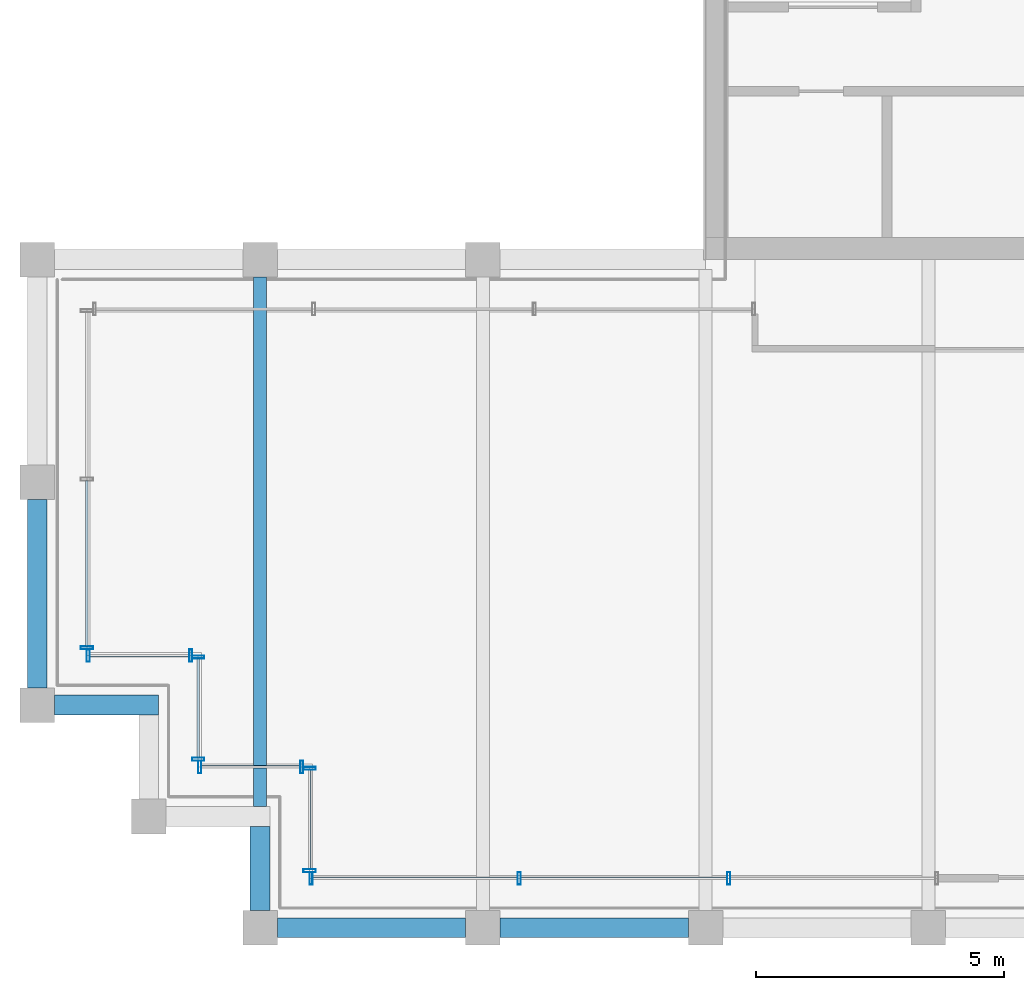
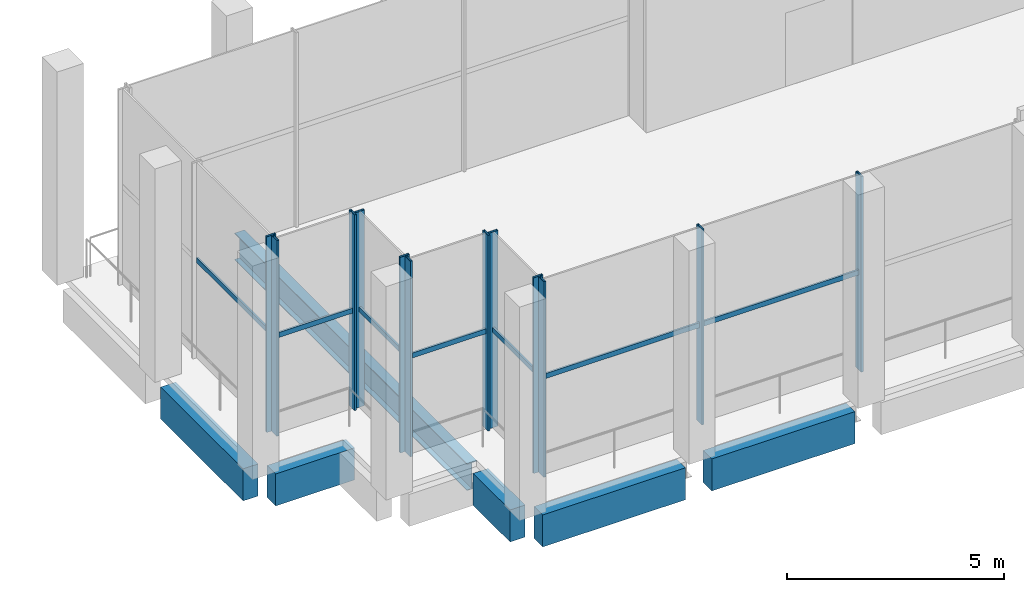
# One storey, part 2 of 15: 19 members, 6 beams, 6 elements without a shape of their own.
"""IFC4 building model written with IfcOpenShell, lengths in metres."""

from ifc_helpers import new_model, si_unit, direction, frame, origin, origin_2d, place, context, subcontext, project, spatial, rectangle, hollow_rectangle, i_section, extrude, material, material_profile, profile_set, type_object, element, aggregate, save


model = new_model("IFC4")

# Units and contexts
model_context = context("Model", 3, precision=1e-05, world=origin(), true_north=direction((0.0, 1.0)))
body_context = subcontext(model_context, "Body", "Model", "MODEL_VIEW")
ifc_project = project(units=[si_unit("LENGTHUNIT", "METRE"), si_unit("AREAUNIT", "SQUARE_METRE"), si_unit("VOLUMEUNIT", "CUBIC_METRE"), si_unit("PLANEANGLEUNIT", "RADIAN"), si_unit("MASSUNIT", "GRAM", prefix="KILO")], contexts=[model_context])

# Site, building, storey
site_placement = place(None, origin())
site = spatial("IfcSite", under=ifc_project, at=site_placement, CompositionType="ELEMENT")
building_placement = place(site_placement, origin())
building = spatial("IfcBuilding", under=site, at=building_placement, Name="Altepetl Exchange Towers", CompositionType="ELEMENT")
storey_placement = place(building_placement, frame((0.0, 0.0, 263.60009765625)))
storey = spatial("IfcBuildingStorey", under=building, at=storey_placement, Name="L67 Observation deck", CompositionType="ELEMENT", Elevation=263.60009765625)

# Beam
ifc_material_1 = material(Name="Steel S355", Category="steel")
ifc_material_profile_1 = material_profile(ifc_material_1, i_section(OverallWidth=0.26611328125, OverallDepth=0.758056640625, WebThickness=0.013916015625, FlangeThickness=0.019287109375, at=origin_2d()), Name="W30X108")
ifc_profile_set_1 = profile_set([ifc_material_profile_1], Name="Steel S355")
beam_type_1 = type_object("IfcBeamType", Name="Floor beam W30X108", PredefinedType="BEAM", material=ifc_profile_set_1)
beam_1_placement = place(storey_placement, frame((31.5, 29.449951171875, -0.55419921875), z_axis=(0.0, 1.0, 0.0), x_axis=(-1.0, 0.0, 0.0)))
element("IfcBeam", 1, at=beam_1_placement, inside=storey, type_object=beam_type_1, Name="bm:A:L67:006", PredefinedType="BEAM", context=body_context, shape_type="SweptSolid", body=[
    extrude(i_section(OverallWidth=0.26611328125, OverallDepth=0.758056640625, WebThickness=0.013916015625, FlangeThickness=0.019287109375, at=origin_2d()), origin(), (0.0, 0.0, 1.0), 10.699951171875),
])

# Curtain wall, member
ifc_material_2 = material(Name="Aluminium 6063-T6 glazing", Category="aluminium")
curtain_wall_type = type_object("IfcCurtainWallType", Name="Executive flush glazing system", PredefinedType="NOTDEFINED", material=ifc_material_2)
curtain_wall_1_placement = place(storey_placement, origin())
curtain_wall_1 = element("IfcCurtainWall", 2, at=curtain_wall_1_placement, inside=storey, type_object=curtain_wall_type, Name="CW4 run", PredefinedType="NOTDEFINED")
ifc_material_3 = material(Name="Aluminium 6063-T6", Category="aluminium")
ifc_material_profile_2 = material_profile(ifc_material_3, hollow_rectangle(XDim=0.06005859375, YDim=0.25, WallThickness=0.0029296875, at=origin_2d()), Name="Mullion 60x250 hollow aluminium")
ifc_profile_set_2 = profile_set([ifc_material_profile_2], Name="Aluminium 6063-T6")
member_type_1 = type_object("IfcMemberType", Name="Mullion 60x250 hollow aluminium", PredefinedType="MULLION", material=ifc_profile_set_2)
member_1_placement = place(storey_placement, frame((28.0, 32.655029296875, 0.0), z_axis=(0.0, 0.0, 1.0), x_axis=(0.0, -1.0, 0.0)))
member_1 = element("IfcMember", 3, at=member_1_placement, type_object=member_type_1, Name="MU3 mullion", PredefinedType="MULLION", context=body_context, shape_type="SweptSolid", body=[
    extrude(hollow_rectangle(XDim=0.06005859375, YDim=0.25, WallThickness=0.0029296875, at=origin_2d()), origin(), (0.0, 0.0, 1.0), 5.5),
])

# Curtain wall, members
curtain_wall_2_placement = place(storey_placement, origin())
curtain_wall_2 = element("IfcCurtainWall", 4, at=curtain_wall_2_placement, inside=storey, type_object=curtain_wall_type, Name="CW4 run", PredefinedType="NOTDEFINED")
member_2_placement = place(storey_placement, frame((28.030029296875, 32.5, 0.0)))
member_2 = element("IfcMember", 5, at=member_2_placement, type_object=member_type_1, Name="MU3 mullion", PredefinedType="MULLION", context=body_context, shape_type="SweptSolid", body=[
    extrude(hollow_rectangle(XDim=0.06005859375, YDim=0.25, WallThickness=0.0029296875, at=origin_2d()), origin(), (0.0, 0.0, 1.0), 5.5),
])
member_3_placement = place(storey_placement, frame((30.094970703125, 32.5, 0.0)))
member_3 = element("IfcMember", 6, at=member_3_placement, type_object=member_type_1, Name="MU3 mullion", PredefinedType="MULLION", context=body_context, shape_type="SweptSolid", body=[
    extrude(hollow_rectangle(XDim=0.06005859375, YDim=0.25, WallThickness=0.0029296875, at=origin_2d()), origin(), (0.0, 0.0, 1.0), 5.5),
])

curtain_wall_3_placement = place(storey_placement, origin())
curtain_wall_3 = element("IfcCurtainWall", 7, at=curtain_wall_3_placement, inside=storey, type_object=curtain_wall_type, Name="CW4 run", PredefinedType="NOTDEFINED")
member_4_placement = place(storey_placement, frame((30.25, 32.469970703125, 0.0), z_axis=(0.0, 0.0, 1.0), x_axis=(0.0, -1.0, 0.0)))
member_4 = element("IfcMember", 8, at=member_4_placement, type_object=member_type_1, Name="MU3 mullion", PredefinedType="MULLION", context=body_context, shape_type="SweptSolid", body=[
    extrude(hollow_rectangle(XDim=0.06005859375, YDim=0.25, WallThickness=0.0029296875, at=origin_2d()), origin(), (0.0, 0.0, 1.0), 5.5),
])
member_5_placement = place(storey_placement, frame((30.25, 30.405029296875, 0.0), z_axis=(0.0, 0.0, 1.0), x_axis=(0.0, -1.0, 0.0)))
member_5 = element("IfcMember", 9, at=member_5_placement, type_object=member_type_1, Name="MU3 mullion", PredefinedType="MULLION", context=body_context, shape_type="SweptSolid", body=[
    extrude(hollow_rectangle(XDim=0.06005859375, YDim=0.25, WallThickness=0.0029296875, at=origin_2d()), origin(), (0.0, 0.0, 1.0), 5.5),
])

curtain_wall_4_placement = place(storey_placement, origin())
curtain_wall_4 = element("IfcCurtainWall", 10, at=curtain_wall_4_placement, inside=storey, type_object=curtain_wall_type, Name="CW4 run", PredefinedType="NOTDEFINED")
member_6_placement = place(storey_placement, frame((30.280029296875, 30.25, 0.0)))
member_6 = element("IfcMember", 11, at=member_6_placement, type_object=member_type_1, Name="MU3 mullion", PredefinedType="MULLION", context=body_context, shape_type="SweptSolid", body=[
    extrude(hollow_rectangle(XDim=0.06005859375, YDim=0.25, WallThickness=0.0029296875, at=origin_2d()), origin(), (0.0, 0.0, 1.0), 5.5),
])
member_7_placement = place(storey_placement, frame((32.344970703125, 30.25, 0.0)))
member_7 = element("IfcMember", 12, at=member_7_placement, type_object=member_type_1, Name="MU3 mullion", PredefinedType="MULLION", context=body_context, shape_type="SweptSolid", body=[
    extrude(hollow_rectangle(XDim=0.06005859375, YDim=0.25, WallThickness=0.0029296875, at=origin_2d()), origin(), (0.0, 0.0, 1.0), 5.5),
])

curtain_wall_5_placement = place(storey_placement, origin())
curtain_wall_5 = element("IfcCurtainWall", 13, at=curtain_wall_5_placement, inside=storey, type_object=curtain_wall_type, Name="CW4 run", PredefinedType="NOTDEFINED")
member_8_placement = place(storey_placement, frame((32.5, 30.219970703125, 0.0), z_axis=(0.0, 0.0, 1.0), x_axis=(0.0, -1.0, 0.0)))
member_8 = element("IfcMember", 14, at=member_8_placement, type_object=member_type_1, Name="MU3 mullion", PredefinedType="MULLION", context=body_context, shape_type="SweptSolid", body=[
    extrude(hollow_rectangle(XDim=0.06005859375, YDim=0.25, WallThickness=0.0029296875, at=origin_2d()), origin(), (0.0, 0.0, 1.0), 5.5),
])
member_9_placement = place(storey_placement, frame((32.5, 28.155029296875, 0.0), z_axis=(0.0, 0.0, 1.0), x_axis=(0.0, -1.0, 0.0)))
member_9 = element("IfcMember", 15, at=member_9_placement, type_object=member_type_1, Name="MU3 mullion", PredefinedType="MULLION", context=body_context, shape_type="SweptSolid", body=[
    extrude(hollow_rectangle(XDim=0.06005859375, YDim=0.25, WallThickness=0.0029296875, at=origin_2d()), origin(), (0.0, 0.0, 1.0), 5.5),
])

curtain_wall_6_placement = place(storey_placement, origin())
curtain_wall_6 = element("IfcCurtainWall", 16, at=curtain_wall_6_placement, inside=storey, type_object=curtain_wall_type, Name="CW4 run", PredefinedType="NOTDEFINED")
member_10_placement = place(storey_placement, frame((32.530029296875, 28.0, 0.0)))
member_10 = element("IfcMember", 17, at=member_10_placement, type_object=member_type_1, Name="MU3 mullion", PredefinedType="MULLION", context=body_context, shape_type="SweptSolid", body=[
    extrude(hollow_rectangle(XDim=0.06005859375, YDim=0.25, WallThickness=0.0029296875, at=origin_2d()), origin(), (0.0, 0.0, 1.0), 5.5),
])
member_11_placement = place(storey_placement, frame((36.734375, 28.0, 0.0)))
member_11 = element("IfcMember", 18, at=member_11_placement, type_object=member_type_1, Name="MU3 mullion", PredefinedType="MULLION", context=body_context, shape_type="SweptSolid", body=[
    extrude(hollow_rectangle(XDim=0.06005859375, YDim=0.25, WallThickness=0.0029296875, at=origin_2d()), origin(), (0.0, 0.0, 1.0), 5.5),
])
member_12_placement = place(storey_placement, frame((40.96875, 28.0, 0.0)))
member_12 = element("IfcMember", 19, at=member_12_placement, type_object=member_type_1, Name="MU3 mullion", PredefinedType="MULLION", context=body_context, shape_type="SweptSolid", body=[
    extrude(hollow_rectangle(XDim=0.06005859375, YDim=0.25, WallThickness=0.0029296875, at=origin_2d()), origin(), (0.0, 0.0, 1.0), 5.5),
])

# Beams
ifc_material_4 = material(Name="Concrete C50/60 precast with cantera blanca facing", Category="concrete")
ifc_material_profile_3 = material_profile(ifc_material_4, rectangle(XDim=0.39990234375, YDim=0.89990234375, at=origin_2d()), Name="400 x 900")
ifc_profile_set_3 = profile_set([ifc_material_profile_3], Name="Concrete C50/60 precast with cantera blanca facing")
beam_type_2 = type_object("IfcBeamType", Name="Spandrel beam 400x900 cantera blanca", PredefinedType="SPANDREL", material=ifc_profile_set_3)
for number, where, z_axis, x_axis, name in (
    (20, (31.85009765625, 27.0, -0.625), (1.0, 0.0, 0.0), (0.0, 1.0, 0.0), "sp:A:L67:000"),
    (21, (36.35009765625, 27.0, -0.625), (1.0, 0.0, 0.0), (0.0, 1.0, 0.0), "sp:A:L67:001"),
    (22, (27.0, 35.64990234375, -0.625), (0.0, -1.0, 0.0), (1.0, 0.0, 0.0), "sp:A:L67:027"),
):
    element("IfcBeam", number, at=place(storey_placement, frame(where, z_axis=z_axis, x_axis=x_axis)), inside=storey, type_object=beam_type_2, Name=name, PredefinedType="SPANDREL", context=body_context, shape_type="SweptSolid", body=[
        extrude(rectangle(XDim=0.39990234375, YDim=0.89990234375, at=origin_2d()), origin(), (0.0, 0.0, 1.0), 3.7998046875),
    ])
beam_2_placement = place(storey_placement, frame((27.35009765625, 31.5, -0.625), z_axis=(1.0, 0.0, 0.0), x_axis=(0.0, 1.0, 0.0)))
element("IfcBeam", 23, at=beam_2_placement, inside=storey, type_object=beam_type_2, Name="sp:A:L67:028", PredefinedType="SPANDREL", context=body_context, shape_type="SweptSolid", body=[
    extrude(rectangle(XDim=0.39990234375, YDim=0.89990234375, at=origin_2d()), origin(), (0.0, 0.0, 1.0), 2.099853515625),
])
beam_3_placement = place(storey_placement, frame((31.5, 29.050048828125, -0.625), z_axis=(0.0, -1.0, 0.0), x_axis=(1.0, 0.0, 0.0)))
element("IfcBeam", 24, at=beam_3_placement, inside=storey, type_object=beam_type_2, Name="sp:A:L67:031", PredefinedType="SPANDREL", context=body_context, shape_type="SweptSolid", body=[
    extrude(rectangle(XDim=0.39990234375, YDim=0.89990234375, at=origin_2d()), origin(), (0.0, 0.0, 1.0), 1.699951171875),
])

# Member
ifc_material_profile_4 = material_profile(ifc_material_3, hollow_rectangle(XDim=0.050048828125, YDim=0.139892578125, WallThickness=0.0029296875, at=origin_2d()), Name="Transom 50x140 hollow aluminium")
ifc_profile_set_4 = profile_set([ifc_material_profile_4], Name="Aluminium 6063-T6")
member_type_2 = type_object("IfcMemberType", Name="Transom 50x140 hollow aluminium", PredefinedType="USERDEFINED", material=ifc_profile_set_4)
member_13_placement = place(storey_placement, frame((28.0, 36.032470703125, 2.75), z_axis=(0.0, -1.0, 0.0), x_axis=(1.0, 0.0, 0.0)))
member_13 = element("IfcMember", 25, at=member_13_placement, type_object=member_type_2, Name="TR2 transom", ObjectType="TRANSOM", PredefinedType="USERDEFINED", context=body_context, shape_type="SweptSolid", body=[
    extrude(hollow_rectangle(XDim=0.050048828125, YDim=0.139892578125, WallThickness=0.0029296875, at=origin_2d()), origin(), (0.0, 0.0, 1.0), 3.347412109375),
])

aggregate(curtain_wall_1, [member_1, member_13])

member_14_placement = place(storey_placement, frame((28.06005859375, 32.5, 2.75), z_axis=(1.0, 0.0, 0.0), x_axis=(0.0, 1.0, 0.0)))
member_14 = element("IfcMember", 26, at=member_14_placement, type_object=member_type_2, Name="TR2 transom", ObjectType="TRANSOM", PredefinedType="USERDEFINED", context=body_context, shape_type="SweptSolid", body=[
    extrude(hollow_rectangle(XDim=0.050048828125, YDim=0.139892578125, WallThickness=0.0029296875, at=origin_2d()), origin(), (0.0, 0.0, 1.0), 2.0048828125),
])

aggregate(curtain_wall_2, [member_2, member_3, member_14])

member_15_placement = place(storey_placement, frame((30.25, 32.43994140625, 2.75), z_axis=(0.0, -1.0, 0.0), x_axis=(1.0, 0.0, 0.0)))
member_15 = element("IfcMember", 27, at=member_15_placement, type_object=member_type_2, Name="TR2 transom", ObjectType="TRANSOM", PredefinedType="USERDEFINED", context=body_context, shape_type="SweptSolid", body=[
    extrude(hollow_rectangle(XDim=0.050048828125, YDim=0.139892578125, WallThickness=0.0029296875, at=origin_2d()), origin(), (0.0, 0.0, 1.0), 2.0048828125),
])

aggregate(curtain_wall_3, [member_4, member_5, member_15])

member_16_placement = place(storey_placement, frame((30.31005859375, 30.25, 2.75), z_axis=(1.0, 0.0, 0.0), x_axis=(0.0, 1.0, 0.0)))
member_16 = element("IfcMember", 28, at=member_16_placement, type_object=member_type_2, Name="TR2 transom", ObjectType="TRANSOM", PredefinedType="USERDEFINED", context=body_context, shape_type="SweptSolid", body=[
    extrude(hollow_rectangle(XDim=0.050048828125, YDim=0.139892578125, WallThickness=0.0029296875, at=origin_2d()), origin(), (0.0, 0.0, 1.0), 2.0048828125),
])

aggregate(curtain_wall_4, [member_6, member_7, member_16])

member_17_placement = place(storey_placement, frame((32.5, 30.18994140625, 2.75), z_axis=(0.0, -1.0, 0.0), x_axis=(1.0, 0.0, 0.0)))
member_17 = element("IfcMember", 29, at=member_17_placement, type_object=member_type_2, Name="TR2 transom", ObjectType="TRANSOM", PredefinedType="USERDEFINED", context=body_context, shape_type="SweptSolid", body=[
    extrude(hollow_rectangle(XDim=0.050048828125, YDim=0.139892578125, WallThickness=0.0029296875, at=origin_2d()), origin(), (0.0, 0.0, 1.0), 2.0048828125),
])

aggregate(curtain_wall_5, [member_8, member_9, member_17])

member_18_placement = place(storey_placement, frame((32.56005859375, 28.0, 2.75), z_axis=(1.0, 0.0, 0.0), x_axis=(0.0, 1.0, 0.0)))
member_18 = element("IfcMember", 30, at=member_18_placement, type_object=member_type_2, Name="TR2 transom", ObjectType="TRANSOM", PredefinedType="USERDEFINED", context=body_context, shape_type="SweptSolid", body=[
    extrude(hollow_rectangle(XDim=0.050048828125, YDim=0.139892578125, WallThickness=0.0029296875, at=origin_2d()), origin(), (0.0, 0.0, 1.0), 4.144287109375),
])

member_19_placement = place(storey_placement, frame((36.764404296875, 28.0, 2.75), z_axis=(1.0, 0.0, 0.0), x_axis=(0.0, 1.0, 0.0)))
member_19 = element("IfcMember", 31, at=member_19_placement, type_object=member_type_2, Name="TR2 transom", ObjectType="TRANSOM", PredefinedType="USERDEFINED", context=body_context, shape_type="SweptSolid", body=[
    extrude(hollow_rectangle(XDim=0.050048828125, YDim=0.139892578125, WallThickness=0.0029296875, at=origin_2d()), origin(), (0.0, 0.0, 1.0), 4.17431640625),
])

aggregate(curtain_wall_6, [member_10, member_11, member_12, member_18, member_19])

save(model, "model.ifc")
